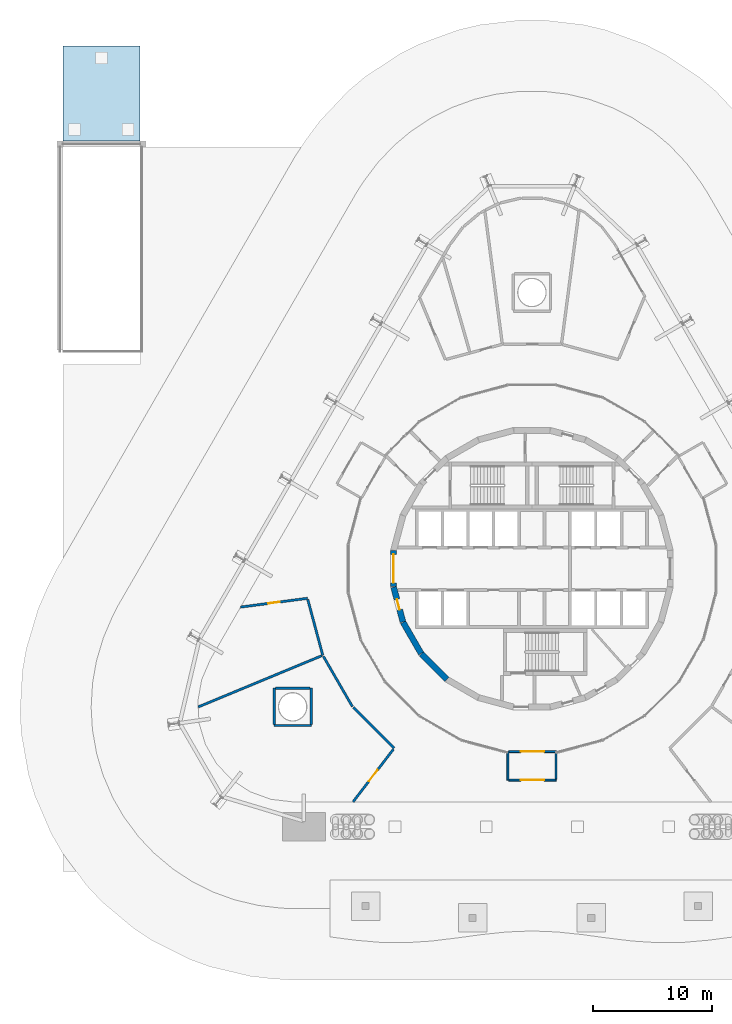
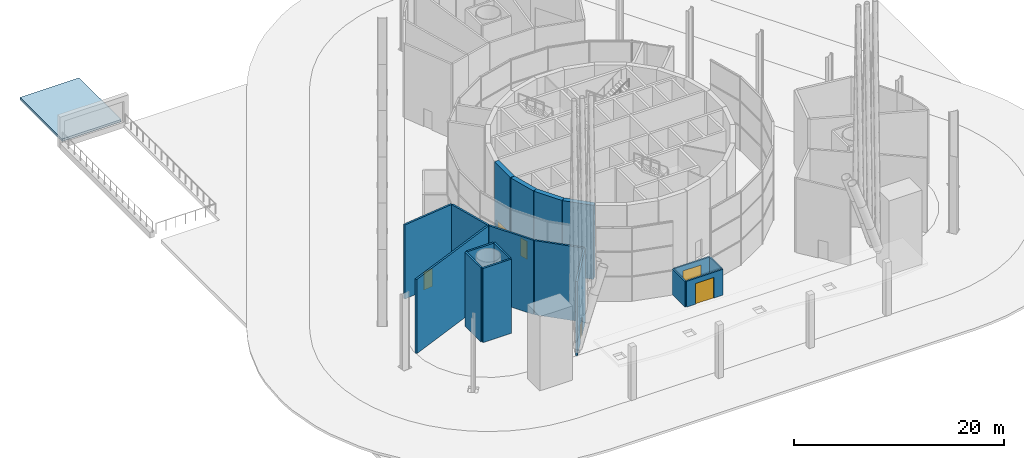
# One storey, part 14 of 21: 18 walls, 6 doors, 1 slab, 6 openings.
"""IFC4 building model written with IfcOpenShell, lengths in metres."""

import ifcopenshell
import ifcopenshell.guid

model = None  # the IFC model being written
_history = None  # IfcOwnerHistory: only IFC2X3 demands one
_inside = {}  # id of a spatial element -> (the spatial element, [elements in it])
_under = {}  # id of a project, library or spatial element -> (it, [spatial elements below it])
_declared = {}  # id of a project -> (the project, [libraries it declares])
_typed = {}  # id of a type object -> (the type object, [elements of that type])
_made_of = {}  # id of a material, layer set ... -> (it, [elements and type objects made of it])


def new_model(schema):
    """Start an empty IFC model of exactly this schema.

    Asked for "IFC4X3", IfcOpenShell would pick the latest addendum, in which some entities
    have other attributes; the version numbers below select the first issue.
    IFC2X3 requires an IfcOwnerHistory on every rooted entity: one is made here for all.
    """
    global model, _history
    if schema == "IFC4X3":
        model = ifcopenshell.file(schema_version=(4, 3, 0, 0))
    else:
        model = ifcopenshell.file(schema=schema)
    _inside.clear()
    _under.clear()
    _declared.clear()
    _typed.clear()
    _made_of.clear()
    _history = None
    if model.schema == "IFC2X3":
        org = make("IfcOrganization", Name="unknown")
        user = make(
            "IfcPersonAndOrganization",
            ThePerson=make("IfcPerson", FamilyName="unknown"),
            TheOrganization=org,
        )
        app = make(
            "IfcApplication",
            ApplicationDeveloper=org,
            Version="unknown",
            ApplicationFullName="unknown",
            ApplicationIdentifier="unknown",
        )
        _history = make(
            "IfcOwnerHistory",
            OwningUser=user,
            OwningApplication=app,
            ChangeAction="ADDED",
            CreationDate=0,
        )
    return model


def make(cls, **values):
    """One entity of the class cls with the attributes given. An attribute that is None is left unset."""
    return model.create_entity(
        cls, **{name: value for name, value in values.items() if value is not None}
    )


def rooted(cls, **values):
    """An entity with a GlobalId (a new one), such as an element, a storey or a relation."""
    return make(cls, GlobalId=ifcopenshell.guid.new(), OwnerHistory=_history, **values)


def si_unit(unit_type, name, prefix=None):
    """IfcSIUnit, for example si_unit("LENGTHUNIT", "METRE", prefix="MILLI")."""
    return make("IfcSIUnit", UnitType=unit_type, Prefix=prefix, Name=name)


def assignment(units):
    """IfcUnitAssignment: the units of a project."""
    return None if units is None else make("IfcUnitAssignment", Units=units)


def point(xyz):
    """IfcCartesianPoint."""
    return None if xyz is None else make("IfcCartesianPoint", Coordinates=xyz)


def direction(xyz):
    """IfcDirection."""
    return None if xyz is None else make("IfcDirection", DirectionRatios=xyz)


def frame(location, z_axis=None, x_axis=None):
    """IfcAxis2Placement3D, a coordinate frame: its origin and axes. An axis left out is left unset."""
    return make(
        "IfcAxis2Placement3D",
        Location=point(location),
        Axis=direction(z_axis),
        RefDirection=direction(x_axis),
    )


def frame_2d(location, x_axis=None):
    """IfcAxis2Placement2D, a coordinate frame in the plane: its origin and x axis."""
    return make(
        "IfcAxis2Placement2D", Location=point(location), RefDirection=direction(x_axis)
    )


def origin():
    """The frame at (0, 0, 0) with its axes left unset."""
    return frame((0.0, 0.0, 0.0))


def place(relative_to, where):
    """IfcLocalPlacement: puts the frame where relative to a parent placement (None: the world)."""
    return make(
        "IfcLocalPlacement", PlacementRelTo=relative_to, RelativePlacement=where
    )


def context(
    kind, dimensions, precision=None, world=None, true_north=None, identifier=None
):
    """IfcGeometricRepresentationContext, for example the 3D "Model" context."""
    return make(
        "IfcGeometricRepresentationContext",
        ContextIdentifier=identifier,
        ContextType=kind,
        CoordinateSpaceDimension=dimensions,
        Precision=precision,
        WorldCoordinateSystem=world,
        TrueNorth=true_north,
    )


def subcontext(parent, identifier, kind, view, scale=None):
    """IfcGeometricRepresentationSubContext, for example "Body" below "Model"."""
    return make(
        "IfcGeometricRepresentationSubContext",
        ContextIdentifier=identifier,
        ContextType=kind,
        ParentContext=parent,
        TargetScale=scale,
        TargetView=view,
    )


def project(units=None, contexts=None):
    """IfcProject with its units and contexts."""
    return rooted(
        "IfcProject",
        Name="project",
        RepresentationContexts=contexts,
        UnitsInContext=assignment(units),
    )


def spatial(cls, under=None, at=None, **own):
    """A site, building, storey or space (cls), placed at a placement, below another one or the project."""
    s = rooted(cls, ObjectPlacement=at, **own)
    if under is not None:
        _under.setdefault(under.id(), (under, []))[1].append(s)
    return s


def polyline(points):
    """IfcPolyline through the points."""
    return make("IfcPolyline", Points=[point(p) for p in points])


def profile(cls, at=None, kind="AREA", **sizes):
    """A parametric profile (cls). Its sizes go by their IFC names, for example OverallWidth=200.0."""
    return make(cls, ProfileType=kind, Position=at, **sizes)


def rectangle(**sizes):
    """IfcRectangleProfileDef."""
    return profile("IfcRectangleProfileDef", **sizes)


def outline(outer, holes=None, kind="AREA"):
    """IfcArbitraryClosedProfileDef: a profile drawn as a closed curve; with holes, ...WithVoids."""
    if holes is None:
        return make("IfcArbitraryClosedProfileDef", ProfileType=kind, OuterCurve=outer)
    return make(
        "IfcArbitraryProfileDefWithVoids",
        ProfileType=kind,
        OuterCurve=outer,
        InnerCurves=holes,
    )


def extrude(swept, where, along, depth):
    """IfcExtrudedAreaSolid: the profile swept, set in the frame where, extruded along a direction by depth."""
    return make(
        "IfcExtrudedAreaSolid",
        SweptArea=swept,
        Position=where,
        ExtrudedDirection=direction(along),
        Depth=depth,
    )


def shape(context_of_items, identifier, shape_type, items):
    """IfcShapeRepresentation: the items that make up one representation, for example the "Body"."""
    return make(
        "IfcShapeRepresentation",
        ContextOfItems=context_of_items,
        RepresentationIdentifier=identifier,
        RepresentationType=shape_type,
        Items=items,
    )


def material(Name=None, Category=None):
    """IfcMaterial."""
    return make("IfcMaterial", Name=Name, Category=Category)


def layer(
    of_material, thickness, ventilated=None, Name=None, Category=None, Priority=None
):
    """IfcMaterialLayer: one layer of a wall or slab, of a material (None: an air gap)."""
    return make(
        "IfcMaterialLayer",
        Material=of_material,
        LayerThickness=thickness,
        IsVentilated=ventilated,
        Name=Name,
        Category=Category,
        Priority=Priority,
    )


def layer_set(layers, Name=None):
    """IfcMaterialLayerSet."""
    return make("IfcMaterialLayerSet", MaterialLayers=layers, LayerSetName=Name)


def made_of(thing, what):
    """Note that an element or type object is made of a material, layer set ...; save() writes the relation."""
    if what is not None:
        _made_of.setdefault(what.id(), (what, []))[1].append(thing)
    return thing


def type_object(cls, material=None, **own):
    """A type object (cls), such as IfcWallType, which elements share."""
    return made_of(rooted(cls, **own), material)


def element(
    cls,
    number,
    at=None,
    inside=None,
    cuts=None,
    type_object=None,
    material=None,
    context=None,
    identifier="Body",
    shape_type=None,
    held_by="IfcProductDefinitionShape",
    body=None,
    shapes=None,
    **own,
):
    """One element of the class cls, such as IfcWall. Its Tag is "e" and its number.

    at: its placement. inside: the storey or other place that contains it. cuts: it is an
    opening in that element (IfcRelVoidsElement). A single representation is given by context,
    identifier, shape_type and body (its items); several are given by shapes. held_by: the class
    of the entity that holds the representations. save() writes the other relations.
    """
    e = rooted(cls, Tag="e%d" % number, ObjectPlacement=at, **own)
    if body is not None:
        shapes = [shape(context, identifier, shape_type, body)]
    if shapes is not None:
        e.Representation = make(held_by, Representations=shapes)
    if inside is not None:
        _inside.setdefault(inside.id(), (inside, []))[1].append(e)
    if cuts is not None:
        rooted(
            "IfcRelVoidsElement", RelatingBuildingElement=cuts, RelatedOpeningElement=e
        )
    if type_object is not None:
        _typed.setdefault(type_object.id(), (type_object, []))[1].append(e)
    return made_of(e, material)


def fill(opening, filler):
    """IfcRelFillsElement: the door or window that sits in an opening."""
    return rooted(
        "IfcRelFillsElement",
        RelatingOpeningElement=opening,
        RelatedBuildingElement=filler,
    )


def aggregate(whole, parts):
    """IfcRelAggregates: a whole, such as a stair, and the parts it consists of."""
    return rooted("IfcRelAggregates", RelatingObject=whole, RelatedObjects=parts)


def save(model, path):
    """Write the relations noted so far, then the file.

    IfcRelAggregates (storeys below a building ...), IfcRelContainedInSpatialStructure (elements
    in a storey), IfcRelDefinesByType, IfcRelAssociatesMaterial and IfcRelDeclares: one each for
    every whole, place, type object, material and project.
    """
    for whole, parts in _under.values():
        aggregate(whole, parts)
    for where, things in _inside.values():
        rooted(
            "IfcRelContainedInSpatialStructure",
            RelatedElements=things,
            RelatingStructure=where,
        )
    for kind, things in _typed.values():
        rooted("IfcRelDefinesByType", RelatedObjects=things, RelatingType=kind)
    for what, things in _made_of.values():
        rooted("IfcRelAssociatesMaterial", RelatedObjects=things, RelatingMaterial=what)
    for by, libraries in _declared.values():
        rooted("IfcRelDeclares", RelatingContext=by, RelatedDefinitions=libraries)
    model.write(path)


model = new_model("IFC4")

# Units and contexts
model_context = context("Model", 3, precision=1e-05, world=origin(), true_north=direction((0.0, 1.0)))
body_context = subcontext(model_context, "Body", "Model", "MODEL_VIEW")
ifc_project = project(units=[si_unit("LENGTHUNIT", "METRE"), si_unit("AREAUNIT", "SQUARE_METRE"), si_unit("VOLUMEUNIT", "CUBIC_METRE"), si_unit("PLANEANGLEUNIT", "RADIAN"), si_unit("MASSUNIT", "GRAM", prefix="KILO")], contexts=[model_context])

# Site, building, storey
site_placement = place(None, origin())
site = spatial("IfcSite", under=ifc_project, at=site_placement, CompositionType="ELEMENT")
building_placement = place(site_placement, origin())
building = spatial("IfcBuilding", under=site, at=building_placement, Name="Spindle Arch Residences", CompositionType="ELEMENT")
storey_placement = place(building_placement, origin())
storey = spatial("IfcBuildingStorey", under=building, at=storey_placement, Name="L00", CompositionType="ELEMENT", Elevation=0.0)

# Slab
ifc_material_1 = material(Name="Concrete C30/37", Category="concrete")
ifc_layer_1 = layer(ifc_material_1, 0.280029296875)
ifc_layer_set_1 = layer_set([ifc_layer_1], Name="Plaza paving slab 280")
slab_type = type_object("IfcSlabType", Name="Plaza paving slab 280", PredefinedType="USERDEFINED", material=ifc_layer_set_1)
slab_placement = place(storey_placement, frame((0.0, 0.0, -0.280029296875)))
element("IfcSlab", 1, at=slab_placement, inside=storey, type_object=slab_type, Name="PAVING vehicle apron", ObjectType="PAVING", PredefinedType="USERDEFINED", context=body_context, shape_type="SweptSolid", body=[
    extrude(outline(polyline([(-39.5, 44.0), (-33.0, 44.0), (-33.0, 36.0), (-39.5, 36.0), (-39.5, 44.0)])), origin(), (0.0, 0.0, 1.0), 0.280029296875),
])

# Wall, opening, door
ifc_material_2 = material(Name="Concrete C50/60", Category="concrete")
ifc_layer_2 = layer(ifc_material_2, 0.5)
ifc_layer_set_2 = layer_set([ifc_layer_2], Name="Core outline wall 500")
wall_type_1 = type_object("IfcWallType", Name="Core outline wall 500", PredefinedType="SHEAR", material=ifc_layer_set_2)
wall_1_placement = place(storey_placement, frame((-11.647216796875, 1.516357421875, 0.0), z_axis=(0.0, 0.0, 1.0), x_axis=(0.0, -1.0, 0.0)))
wall_1 = element("IfcWall", 2, at=wall_1_placement, inside=storey, type_object=wall_type_1, Name="Core outline wall 18", PredefinedType="SHEAR", context=body_context, shape_type="SweptSolid", body=[
    extrude(rectangle(XDim=3.03271484375, YDim=0.5, at=frame_2d((1.516357421875, 0.0))), origin(), (0.0, 0.0, 1.0), 8.6201171875),
])
opening_1_placement = place(wall_1_placement, frame((0.31640625, 0.0, 0.0)))
opening_1 = element("IfcOpeningElement", 3, at=opening_1_placement, cuts=wall_1, Name="Opening L00-LE01", PredefinedType="OPENING", context=body_context, shape_type="SweptSolid", body=[
    extrude(rectangle(XDim=2.39990234375, YDim=2.10009765625, at=frame_2d((1.199951171875, 1.050048828125))), frame((0.0, 0.260009765625, 0.0), z_axis=(0.0, -1.0, 0.0), x_axis=(1.0, 0.0, 0.0)), (0.0, 0.0, 1.0), 0.52001953125),
])
ifc_material_3 = material(Name="Steel, fire-resisting door", Category="steel")
door_type_1 = type_object("IfcDoorType", Name="Lift lobby entrance door 2400x2100", OperationType="DOUBLE_DOOR_SINGLE_SWING", PredefinedType="DOOR", material=ifc_material_3)
door_1_placement = place(opening_1_placement, origin())
door_1 = element("IfcDoor", 4, at=door_1_placement, inside=storey, type_object=door_type_1, Name="Lift lobby entrance door L00-LE01", OperationType="DOUBLE_DOOR_SINGLE_SWING", OverallHeight=2.10009765625, OverallWidth=2.39990234375, PredefinedType="DOOR", context=body_context, shape_type="SweptSolid", body=[
    extrude(rectangle(XDim=2.39990234375, YDim=2.10009765625, at=frame_2d((1.199951171875, 1.050048828125))), frame((0.0, 0.02490234375, 0.0), z_axis=(0.0, -1.0, 0.0), x_axis=(1.0, 0.0, 0.0)), (0.0, 0.0, 1.0), 0.050048828125),
])
fill(opening_1, door_1)

wall_2_placement = place(storey_placement, frame((-11.642822265625, -1.5498046875, 0.0), z_axis=(0.0, 0.0, 1.0), x_axis=(0.258734743916, -0.965948410781, 0.0)))
wall_2 = element("IfcWall", 5, at=wall_2_placement, inside=storey, type_object=wall_type_1, Name="Core outline wall 19", PredefinedType="SHEAR", context=body_context, shape_type="SweptSolid", body=[
    extrude(rectangle(XDim=3.03271484375, YDim=0.5, at=frame_2d((1.516357421875, 0.0))), origin(), (0.0, 0.0, 1.0), 8.6201171875),
])
opening_2_placement = place(wall_2_placement, frame((1.06640625, 0.0, 0.0)))
opening_2 = element("IfcOpeningElement", 6, at=opening_2_placement, cuts=wall_2, Name="Opening L00-WD11", PredefinedType="OPENING", context=body_context, shape_type="SweptSolid", body=[
    extrude(rectangle(XDim=0.89990234375, YDim=2.10009765625, at=frame_2d((0.449951171875, 1.050048828125))), frame((0.0, 0.260009765625, 0.0), z_axis=(0.0, -1.0, 0.0), x_axis=(1.0, 0.0, 0.0)), (0.0, 0.0, 1.0), 0.52001953125),
])
ifc_material_4 = material(Name="Steel, fire-resisting door", Category="steel")
door_type_2 = type_object("IfcDoorType", Name="Service room door 900x2100", OperationType="SINGLE_SWING_LEFT", PredefinedType="DOOR", material=ifc_material_4)
door_2_placement = place(opening_2_placement, origin())
door_2 = element("IfcDoor", 7, at=door_2_placement, inside=storey, type_object=door_type_2, Name="Service room door L00-WD11", OperationType="SINGLE_SWING_RIGHT", OverallHeight=2.10009765625, OverallWidth=0.89990234375, PredefinedType="DOOR", context=body_context, shape_type="SweptSolid", body=[
    extrude(rectangle(XDim=0.89990234375, YDim=2.10009765625, at=frame_2d((0.449951171875, 1.050048828125))), frame((0.0, 0.02490234375, 0.0), z_axis=(0.0, -1.0, 0.0), x_axis=(1.0, 0.0, 0.0)), (0.0, 0.0, 1.0), 0.050048828125),
])
fill(opening_2, door_2)

# Walls
wall_3_placement = place(storey_placement, frame((-10.84521484375, -4.510498046875, 0.0), z_axis=(0.0, 0.0, 1.0), x_axis=(0.500087131594, -0.865975092491, 0.0)))
element("IfcWall", 8, at=wall_3_placement, inside=storey, type_object=wall_type_1, Name="Core outline wall 20", PredefinedType="SHEAR", context=body_context, shape_type="SweptSolid", body=[
    extrude(rectangle(XDim=3.03271484375, YDim=0.5, at=frame_2d((1.516357421875, 0.0))), origin(), (0.0, 0.0, 1.0), 8.6201171875),
])
wall_4_placement = place(storey_placement, frame((-9.30810546875, -7.163818359375, 0.0), z_axis=(0.0, 0.0, 1.0), x_axis=(0.707106781187, -0.707106781187, 0.0)))
element("IfcWall", 9, at=wall_4_placement, inside=storey, type_object=wall_type_1, Name="Core outline wall 21", PredefinedType="SHEAR", context=body_context, shape_type="SweptSolid", body=[
    extrude(rectangle(XDim=3.032470703125, YDim=0.5, at=frame_2d((1.51611328125, 0.0))), origin(), (0.0, 0.0, 1.0), 8.6201171875),
])
ifc_material_5 = material(Name="Concrete C40/50 wall with non-combustible insulated cladding (K0)", Category="concrete")
ifc_layer_3 = layer(ifc_material_5, 0.159912109375)
ifc_layer_set_3 = layer_set([ifc_layer_3], Name="Partition E 60 160 external")
wall_type_2 = type_object("IfcWallType", Name="Partition E 60 160 external", PredefinedType="PARTITIONING", material=ifc_layer_set_3)
wall_5_placement = place(storey_placement, frame((-2.030029296875, -17.800048828125, 0.0), z_axis=(0.0, 0.0, 1.0), x_axis=(0.0, 1.0, 0.0)))
element("IfcWall", 10, at=wall_5_placement, inside=storey, type_object=wall_type_2, Name="L00-W029", PredefinedType="PARTITIONING", context=body_context, shape_type="SweptSolid", body=[
    extrude(rectangle(XDim=2.400146484375, YDim=0.159912109375, at=frame_2d((1.2001953125, 0.0))), origin(), (0.0, 0.0, 1.0), 3.0),
])

# Wall, opening, door
wall_6_placement = place(storey_placement, frame((-1.949951171875, -15.39990234375, 0.0), z_axis=(0.0, 0.0, 1.0), x_axis=(1.0, 0.0, 0.0)))
wall_6 = element("IfcWall", 11, at=wall_6_placement, inside=storey, type_object=wall_type_2, Name="L00-W030", PredefinedType="PARTITIONING", context=body_context, shape_type="SweptSolid", body=[
    extrude(rectangle(XDim=3.97998046875, YDim=0.159912109375, at=frame_2d((1.989990234375, 0.0))), origin(), (0.0, 0.0, 1.0), 3.0),
])
opening_3_placement = place(wall_6_placement, frame((0.989990234375, 0.0, 0.0)))
opening_3 = element("IfcOpeningElement", 12, at=opening_3_placement, cuts=wall_6, Name="Opening L00-D01", PredefinedType="OPENING", context=body_context, shape_type="SweptSolid", body=[
    extrude(rectangle(XDim=2.0, YDim=2.39990234375, at=frame_2d((1.0, 1.199951171875))), frame((0.0, 0.08984375, 0.0), z_axis=(0.0, -1.0, 0.0), x_axis=(1.0, 0.0, 0.0)), (0.0, 0.0, 1.0), 0.179931640625),
])
ifc_material_6 = material(Name="Bronze aluminium frame, toughened tinted glass", Category="aluminium")
door_type_3 = type_object("IfcDoorType", Name="Lobby entrance double door EI 60 2000x2400", OperationType="DOUBLE_DOOR_SINGLE_SWING", PredefinedType="DOOR", material=ifc_material_6)
door_3_placement = place(opening_3_placement, origin())
door_3 = element("IfcDoor", 13, at=door_3_placement, inside=storey, type_object=door_type_3, Name="L00-D01", OperationType="DOUBLE_DOOR_SINGLE_SWING", OverallHeight=2.39990234375, OverallWidth=2.0, PredefinedType="DOOR", context=body_context, shape_type="SweptSolid", body=[
    extrude(rectangle(XDim=2.0, YDim=2.39990234375, at=frame_2d((1.0, 1.199951171875))), frame((0.0, 0.02490234375, 0.0), z_axis=(0.0, -1.0, 0.0), x_axis=(1.0, 0.0, 0.0)), (0.0, 0.0, 1.0), 0.050048828125),
])
fill(opening_3, door_3)

wall_7_placement = place(storey_placement, frame((2.030029296875, -17.800048828125, 0.0), z_axis=(0.0, 0.0, 1.0), x_axis=(-1.0, 0.0, 0.0)))
wall_7 = element("IfcWall", 14, at=wall_7_placement, inside=storey, type_object=wall_type_2, Name="L00-W037", PredefinedType="PARTITIONING", context=body_context, shape_type="SweptSolid", body=[
    extrude(rectangle(XDim=3.97998046875, YDim=0.159912109375, at=frame_2d((1.989990234375, 0.0))), origin(), (0.0, 0.0, 1.0), 3.0),
])
opening_4_placement = place(wall_7_placement, frame((0.989990234375, 0.0, 0.0)))
opening_4 = element("IfcOpeningElement", 15, at=opening_4_placement, cuts=wall_7, Name="Opening L00-D02", PredefinedType="OPENING", context=body_context, shape_type="SweptSolid", body=[
    extrude(rectangle(XDim=2.0, YDim=2.39990234375, at=frame_2d((1.0, 1.199951171875))), frame((0.0, 0.08984375, 0.0), z_axis=(0.0, -1.0, 0.0), x_axis=(1.0, 0.0, 0.0)), (0.0, 0.0, 1.0), 0.179931640625),
])
door_4_placement = place(opening_4_placement, origin())
door_4 = element("IfcDoor", 16, at=door_4_placement, inside=storey, type_object=door_type_3, Name="L00-D02", OperationType="DOUBLE_DOOR_SINGLE_SWING", OverallHeight=2.39990234375, OverallWidth=2.0, PredefinedType="DOOR", context=body_context, shape_type="SweptSolid", body=[
    extrude(rectangle(XDim=2.0, YDim=2.39990234375, at=frame_2d((1.0, 1.199951171875))), frame((0.0, 0.02490234375, 0.0), z_axis=(0.0, -1.0, 0.0), x_axis=(1.0, 0.0, 0.0)), (0.0, 0.0, 1.0), 0.050048828125),
])
fill(opening_4, door_4)

# Wall
wall_8_placement = place(storey_placement, frame((2.030029296875, -15.47998046875, 0.0), z_axis=(0.0, 0.0, 1.0), x_axis=(0.0, -1.0, 0.0)))
element("IfcWall", 17, at=wall_8_placement, inside=storey, type_object=wall_type_2, Name="L00-W038", PredefinedType="PARTITIONING", context=body_context, shape_type="SweptSolid", body=[
    extrude(rectangle(XDim=2.239990234375, YDim=0.159912109375, at=frame_2d((1.1201171875, 0.0))), origin(), (0.0, 0.0, 1.0), 3.0),
])

# Wall, opening, door
ifc_material_7 = material(Name="Gypsum board partition on steel studs", Category="steel")
ifc_layer_4 = layer(ifc_material_7, 0.199951171875)
ifc_layer_set_4 = layer_set([ifc_layer_4], Name="Partition EI 60 200 amenity")
wall_type_3 = type_object("IfcWallType", Name="Partition EI 60 200 amenity", PredefinedType="PARTITIONING", material=ifc_layer_set_4)
wall_9_placement = place(storey_placement, frame((-24.530029296875, -3.22998046875, 0.0), z_axis=(0.0, 0.0, 1.0), x_axis=(0.991472870142, 0.130313267829, 0.0)))
wall_9 = element("IfcWall", 18, at=wall_9_placement, inside=storey, type_object=wall_type_3, Name="L00-W001", PredefinedType="PARTITIONING", context=body_context, shape_type="SweptSolid", body=[
    extrude(rectangle(XDim=5.678466796875, YDim=0.199951171875, at=frame_2d((2.83935546875, 0.0))), origin(), (0.0, 0.0, 1.0), 8.6201171875),
])
opening_5_placement = place(wall_9_placement, frame((2.339111328125, 0.0, 0.0)))
opening_5 = element("IfcOpeningElement", 19, at=opening_5_placement, cuts=wall_9, Name="Opening L00-D07", PredefinedType="OPENING", context=body_context, shape_type="SweptSolid", body=[
    extrude(rectangle(XDim=1.0, YDim=2.10009765625, at=frame_2d((0.5, 1.050048828125))), frame((0.0, 0.10986328125, 0.0), z_axis=(0.0, -1.0, 0.0), x_axis=(1.0, 0.0, 0.0)), (0.0, 0.0, 1.0), 0.219970703125),
])
ifc_material_8 = material(Name="Timber door leaf", Category="wood")
door_type_4 = type_object("IfcDoorType", Name="Door 1000x2100 EI 30", OperationType="SINGLE_SWING_LEFT", PredefinedType="DOOR", material=ifc_material_8)
door_5_placement = place(opening_5_placement, origin())
door_5 = element("IfcDoor", 20, at=door_5_placement, inside=storey, type_object=door_type_4, Name="L00-D07", OperationType="SINGLE_SWING_LEFT", OverallHeight=2.10009765625, OverallWidth=1.0, PredefinedType="DOOR", context=body_context, shape_type="SweptSolid", body=[
    extrude(rectangle(XDim=1.0, YDim=2.10009765625, at=frame_2d((0.5, 1.050048828125))), frame((0.0, 0.02490234375, 0.0), z_axis=(0.0, -1.0, 0.0), x_axis=(1.0, 0.0, 0.0)), (0.0, 0.0, 1.0), 0.050048828125),
])
fill(opening_5, door_5)

# Walls
wall_10_placement = place(storey_placement, frame((-21.7099609375, -13.199951171875, 0.0), z_axis=(0.0, 0.0, 1.0), x_axis=(1.0, 0.0, 0.0)))
element("IfcWall", 21, at=wall_10_placement, inside=storey, type_object=wall_type_3, Name="L00-W002", PredefinedType="PARTITIONING", context=body_context, shape_type="SweptSolid", body=[
    extrude(rectangle(XDim=3.139892578125, YDim=0.199951171875, at=frame_2d((1.56982421875, 0.0))), origin(), (0.0, 0.0, 1.0), 8.6201171875),
])
wall_11_placement = place(storey_placement, frame((-21.7099609375, -10.06005859375, 0.0), z_axis=(0.0, 0.0, 1.0), x_axis=(0.0, -1.0, 0.0)))
element("IfcWall", 22, at=wall_11_placement, inside=storey, type_object=wall_type_3, Name="L00-W003", PredefinedType="PARTITIONING", context=body_context, shape_type="SweptSolid", body=[
    extrude(rectangle(XDim=3.0400390625, YDim=0.199951171875, at=frame_2d((1.52001953125, 0.0))), origin(), (0.0, 0.0, 1.0), 8.6201171875),
])
wall_12_placement = place(storey_placement, frame((-18.8740234375, -2.586669921875, 0.0), z_axis=(0.0, 0.0, 1.0), x_axis=(0.259518617631, -0.965738104821, 0.0)))
element("IfcWall", 23, at=wall_12_placement, inside=storey, type_object=wall_type_3, Name="L00-W004", PredefinedType="PARTITIONING", context=body_context, shape_type="SweptSolid", body=[
    extrude(rectangle(XDim=4.8701171875, YDim=0.199951171875, at=frame_2d((2.43505859375, 0.0))), origin(), (0.0, 0.0, 1.0), 8.6201171875),
])
wall_13_placement = place(storey_placement, frame((-18.570068359375, -13.10009765625, 0.0), z_axis=(0.0, 0.0, 1.0), x_axis=(0.0, 1.0, 0.0)))
element("IfcWall", 24, at=wall_13_placement, inside=storey, type_object=wall_type_3, Name="L00-W005", PredefinedType="PARTITIONING", context=body_context, shape_type="SweptSolid", body=[
    extrude(rectangle(XDim=3.0400390625, YDim=0.199951171875, at=frame_2d((1.52001953125, 0.0))), origin(), (0.0, 0.0, 1.0), 8.6201171875),
])
wall_14_placement = place(storey_placement, frame((-18.669921875, -10.06005859375, 0.0), z_axis=(0.0, 0.0, 1.0), x_axis=(-1.0, 0.0, 0.0)))
element("IfcWall", 25, at=wall_14_placement, inside=storey, type_object=wall_type_3, Name="L00-W006", PredefinedType="PARTITIONING", context=body_context, shape_type="SweptSolid", body=[
    extrude(rectangle(XDim=2.940185546875, YDim=0.199951171875, at=frame_2d((1.47021484375, 0.0))), origin(), (0.0, 0.0, 1.0), 8.6201171875),
])
wall_15_placement = place(storey_placement, frame((-17.702392578125, -7.328369140625, 0.0), z_axis=(0.0, 0.0, 1.0), x_axis=(-0.923733316427, -0.383036238655, 0.0)))
element("IfcWall", 26, at=wall_15_placement, inside=storey, type_object=wall_type_3, Name="L00-W007", PredefinedType="PARTITIONING", context=body_context, shape_type="SweptSolid", body=[
    extrude(rectangle(XDim=11.256103515625, YDim=0.199951171875, at=frame_2d((5.6279296875, 0.0))), origin(), (0.0, 0.0, 1.0), 8.6201171875),
])
wall_16_placement = place(storey_placement, frame((-17.56005859375, -7.376708984375, 0.0), z_axis=(0.0, 0.0, 1.0), x_axis=(0.500240904659, -0.865886272732, 0.0)))
element("IfcWall", 27, at=wall_16_placement, inside=storey, type_object=wall_type_3, Name="L00-W008", PredefinedType="PARTITIONING", context=body_context, shape_type="SweptSolid", body=[
    extrude(rectangle(XDim=4.87744140625, YDim=0.199951171875, at=frame_2d((2.438720703125, 0.0))), origin(), (0.0, 0.0, 1.0), 8.6201171875),
])
wall_17_placement = place(storey_placement, frame((-15.04931640625, -11.670654296875, 0.0), z_axis=(0.0, 0.0, 1.0), x_axis=(0.707081756616, -0.707131804872, 0.0)))
element("IfcWall", 28, at=wall_17_placement, inside=storey, type_object=wall_type_3, Name="L00-W010", PredefinedType="PARTITIONING", context=body_context, shape_type="SweptSolid", body=[
    extrude(rectangle(XDim=4.878173828125, YDim=0.199951171875, at=frame_2d((2.43896484375, 0.0))), origin(), (0.0, 0.0, 1.0), 8.6201171875),
])

# Wall, opening, door
wall_18_placement = place(storey_placement, frame((-11.660888671875, -15.19921875, 0.0), z_axis=(0.0, 0.0, 1.0), x_axis=(-0.608694005511, -0.793405071609, 0.0)))
wall_18 = element("IfcWall", 29, at=wall_18_placement, inside=storey, type_object=wall_type_3, Name="L00-W014", PredefinedType="PARTITIONING", context=body_context, shape_type="SweptSolid", body=[
    extrude(rectangle(XDim=5.58447265625, YDim=0.199951171875, at=frame_2d((2.792236328125, 0.0))), origin(), (0.0, 0.0, 1.0), 8.6201171875),
])
opening_6_placement = place(wall_18_placement, frame((2.192138671875, 0.0, 0.0)))
opening_6 = element("IfcOpeningElement", 30, at=opening_6_placement, cuts=wall_18, Name="Opening L00-D04", PredefinedType="OPENING", context=body_context, shape_type="SweptSolid", body=[
    extrude(rectangle(XDim=1.199951171875, YDim=2.10009765625, at=frame_2d((0.60009765625, 1.050048828125))), frame((0.0, 0.10986328125, 0.0), z_axis=(0.0, -1.0, 0.0), x_axis=(1.0, 0.0, 0.0)), (0.0, 0.0, 1.0), 0.219970703125),
])
ifc_material_9 = material(Name="Timber door leaf", Category="wood")
door_type_5 = type_object("IfcDoorType", Name="Door 1200x2100 EI 30", OperationType="SINGLE_SWING_LEFT", PredefinedType="DOOR", material=ifc_material_9)
door_6_placement = place(opening_6_placement, origin())
door_6 = element("IfcDoor", 31, at=door_6_placement, inside=storey, type_object=door_type_5, Name="L00-D04", OperationType="SINGLE_SWING_LEFT", OverallHeight=2.10009765625, OverallWidth=1.199951171875, PredefinedType="DOOR", context=body_context, shape_type="SweptSolid", body=[
    extrude(rectangle(XDim=1.199951171875, YDim=2.10009765625, at=frame_2d((0.60009765625, 1.050048828125))), frame((0.0, 0.02490234375, 0.0), z_axis=(0.0, -1.0, 0.0), x_axis=(1.0, 0.0, 0.0)), (0.0, 0.0, 1.0), 0.050048828125),
])
fill(opening_6, door_6)

save(model, "model.ifc")
